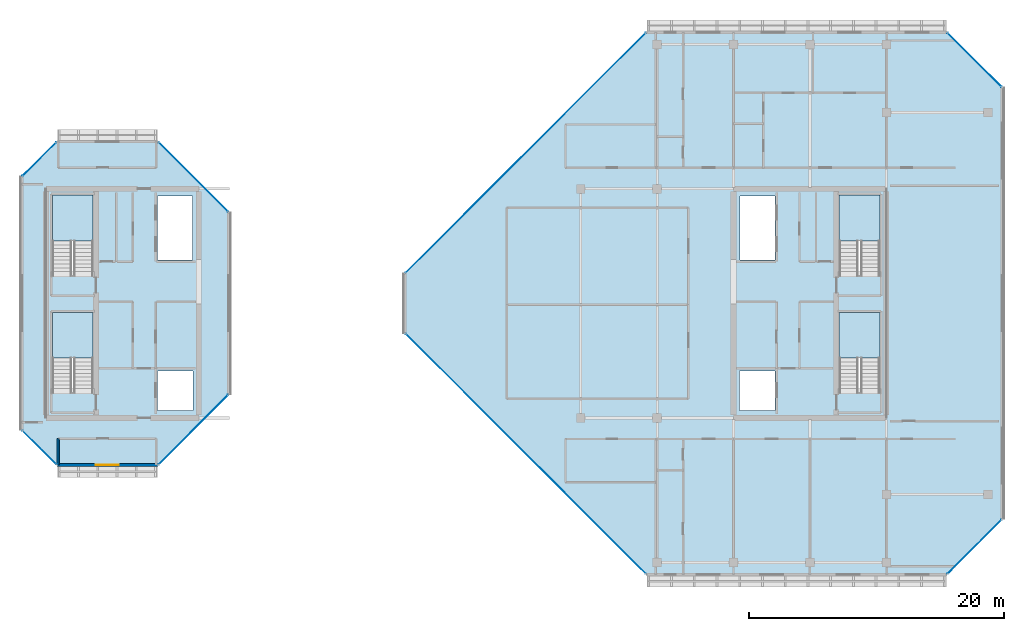
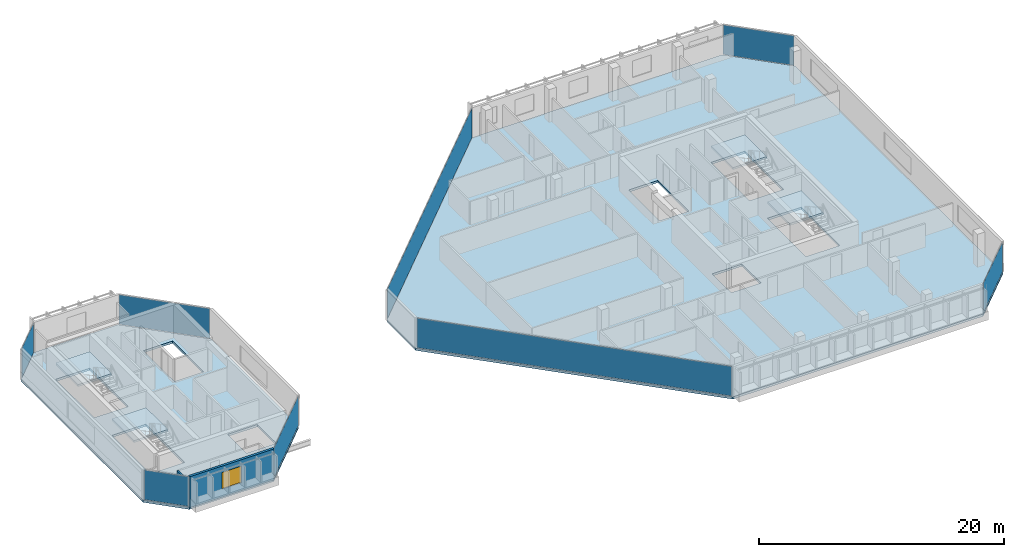
# One storey, part 20 of 28: 8 plates, 6 slabs, 2 walls, 1 window, 1 opening, 12 elements without a shape of their own.
"""IFC4 building model written with IfcOpenShell, lengths in metres."""

from ifc_helpers import new_model, si_unit, direction, frame, frame_2d, origin, origin_2d, place, context, subcontext, project, spatial, polyline, rectangle, outline, extrude, material, layer, layer_set, type_object, element, fill, aggregate, save


model = new_model("IFC4")

# Units and contexts
model_context = context("Model", 3, precision=1e-05, world=origin(), true_north=direction((0.0, 1.0)))
body_context = subcontext(model_context, "Body", "Model", "MODEL_VIEW")
ifc_project = project(units=[si_unit("LENGTHUNIT", "METRE"), si_unit("AREAUNIT", "SQUARE_METRE"), si_unit("VOLUMEUNIT", "CUBIC_METRE"), si_unit("PLANEANGLEUNIT", "RADIAN"), si_unit("MASSUNIT", "GRAM", prefix="KILO")], contexts=[model_context])

# Site, building, storey
site_placement = place(None, origin())
site = spatial("IfcSite", under=ifc_project, at=site_placement, CompositionType="ELEMENT")
building_placement = place(site_placement, origin())
building = spatial("IfcBuilding", under=site, at=building_placement, Name="Tanjung Sevakor Pilgrim Tower", CompositionType="ELEMENT")
storey_placement = place(building_placement, frame((0.0, 0.0, 239.25)))
storey = spatial("IfcBuildingStorey", under=building, at=storey_placement, Name="L67", CompositionType="ELEMENT", Elevation=239.25)

# Stair, slab
ifc_material_1 = material(Name="Concrete C40/50", Category="concrete")
stair_type = type_object("IfcStairType", Name="STAIR-ST-CR150", PredefinedType="HALF_TURN_STAIR", material=ifc_material_1)
stair_1_placement = place(storey_placement, origin())
stair_1 = element("IfcStair", 1, at=stair_1_placement, inside=storey, type_object=stair_type, Name="L67 West Core Exit Stair 1", PredefinedType="HALF_TURN_STAIR")
ifc_material_2 = material(Name="Concrete C40/50", Category="concrete")
ifc_layer_1 = layer(ifc_material_2, 0.199951171875)
ifc_layer_set_1 = layer_set([ifc_layer_1], Name="SL-LAND-200")
slab_type_1 = type_object("IfcSlabType", Name="SL-LAND-200", PredefinedType="LANDING", material=ifc_layer_set_1)
slab_1_placement = place(storey_placement, frame((0.0, 0.0, 1.449951171875)))
slab_1 = element("IfcSlab", 2, at=slab_1_placement, type_object=slab_type_1, Name="TS-W1 landing 1", PredefinedType="LANDING", context=body_context, shape_type="SweptSolid", body=[
    extrude(outline(polyline([(27.699951171875, 29.300048828125), (27.699951171875, 32.89990234375), (24.5, 32.89990234375), (24.5, 29.300048828125), (27.699951171875, 29.300048828125)])), origin(), (0.0, 0.0, 1.0), 0.199951171875),
])
aggregate(stair_1, [slab_1])

stair_2_placement = place(storey_placement, origin())
stair_2 = element("IfcStair", 3, at=stair_2_placement, inside=storey, type_object=stair_type, Name="L67 West Core Exit Stair 2", PredefinedType="HALF_TURN_STAIR")
slab_2_placement = place(storey_placement, frame((0.0, 0.0, 1.449951171875)))
slab_2 = element("IfcSlab", 4, at=slab_2_placement, type_object=slab_type_1, Name="TS-W2 landing 1", PredefinedType="LANDING", context=body_context, shape_type="SweptSolid", body=[
    extrude(outline(polyline([(27.699951171875, 38.5), (27.699951171875, 42.10009765625), (24.5, 42.10009765625), (24.5, 38.5), (27.699951171875, 38.5)])), origin(), (0.0, 0.0, 1.0), 0.199951171875),
])
aggregate(stair_2, [slab_2])

stair_3_placement = place(storey_placement, origin())
stair_3 = element("IfcStair", 5, at=stair_3_placement, inside=storey, type_object=stair_type, Name="L67 East Core Exit Stair 1", PredefinedType="HALF_TURN_STAIR")
slab_3_placement = place(storey_placement, frame((0.0, 0.0, 1.449951171875)))
slab_3 = element("IfcSlab", 6, at=slab_3_placement, type_object=slab_type_1, Name="TS-E1 landing 1", PredefinedType="LANDING", context=body_context, shape_type="SweptSolid", body=[
    extrude(outline(polyline([(89.5, 29.300048828125), (89.5, 32.89990234375), (86.300048828125, 32.89990234375), (86.300048828125, 29.300048828125), (89.5, 29.300048828125)])), origin(), (0.0, 0.0, 1.0), 0.199951171875),
])
aggregate(stair_3, [slab_3])

stair_4_placement = place(storey_placement, origin())
stair_4 = element("IfcStair", 7, at=stair_4_placement, inside=storey, type_object=stair_type, Name="L67 East Core Exit Stair 2", PredefinedType="HALF_TURN_STAIR")
slab_4_placement = place(storey_placement, frame((0.0, 0.0, 1.449951171875)))
slab_4 = element("IfcSlab", 8, at=slab_4_placement, type_object=slab_type_1, Name="TS-E2 landing 1", PredefinedType="LANDING", context=body_context, shape_type="SweptSolid", body=[
    extrude(outline(polyline([(89.5, 38.5), (89.5, 42.10009765625), (86.300048828125, 42.10009765625), (86.300048828125, 38.5), (89.5, 38.5)])), origin(), (0.0, 0.0, 1.0), 0.199951171875),
])
aggregate(stair_4, [slab_4])

# Slabs
ifc_material_3 = material(Name="Concrete C40/50", Category="concrete")
ifc_layer_2 = layer(ifc_material_3, 0.219970703125)
ifc_layer_set_2 = layer_set([ifc_layer_2], Name="SL-TWR-220")
slab_type_2 = type_object("IfcSlabType", Name="SL-TWR-220", PredefinedType="FLOOR", material=ifc_layer_set_2)
slab_5_placement = place(storey_placement, frame((0.0, 0.0, -0.219970703125)))
element("IfcSlab", 9, at=slab_5_placement, inside=storey, type_object=slab_type_2, Name="L67 Floor Slab WEST", PredefinedType="FLOOR", context=body_context, shape_type="SweptSolid", body=[
    extrude(outline(polyline([(24.846923828125, 20.8798828125), (32.802978515625, 20.8798828125), (38.3701171875, 26.447021484375), (38.3701171875, 40.753173828125), (32.802978515625, 46.320068359375), (24.846923828125, 46.320068359375), (22.080078125, 43.552978515625), (22.080078125, 23.64697265625), (24.846923828125, 20.8798828125)]), holes=[polyline([(27.699951171875, 26.60009765625), (27.699951171875, 32.89990234375), (24.5, 32.89990234375), (24.5, 26.60009765625), (27.699951171875, 26.60009765625)]), polyline([(27.699951171875, 35.800048828125), (27.699951171875, 42.10009765625), (24.5, 42.10009765625), (24.5, 35.800048828125), (27.699951171875, 35.800048828125)]), polyline([(32.75, 25.199951171875), (35.550048828125, 25.199951171875), (35.550048828125, 28.300048828125), (32.75, 28.300048828125), (32.75, 25.199951171875)]), polyline([(32.75, 37.0), (35.5, 37.0), (35.5, 42.050048828125), (32.75, 42.050048828125), (32.75, 37.0)])]), origin(), (0.0, 0.0, 1.0), 0.219970703125),
])
slab_6_placement = place(storey_placement, frame((0.0, 0.0, -0.219970703125)))
element("IfcSlab", 10, at=slab_6_placement, inside=storey, type_object=slab_type_2, Name="L67 Floor Slab EAST", PredefinedType="FLOOR", context=body_context, shape_type="SweptSolid", body=[
    extrude(outline(polyline([(71.14697265625, 12.280029296875), (94.753173828125, 12.280029296875), (99.1201171875, 16.64697265625), (99.1201171875, 50.552978515625), (94.753173828125, 54.919921875), (71.14697265625, 54.919921875), (52.179931640625, 35.953125), (52.179931640625, 31.246826171875), (71.14697265625, 12.280029296875)]), holes=[polyline([(89.5, 26.60009765625), (89.5, 32.89990234375), (86.300048828125, 32.89990234375), (86.300048828125, 26.60009765625), (89.5, 26.60009765625)]), polyline([(89.5, 35.800048828125), (89.5, 42.10009765625), (86.300048828125, 42.10009765625), (86.300048828125, 35.800048828125), (89.5, 35.800048828125)]), polyline([(78.449951171875, 25.199951171875), (81.25, 25.199951171875), (81.25, 28.300048828125), (78.449951171875, 28.300048828125), (78.449951171875, 25.199951171875)]), polyline([(78.5, 37.0), (81.25, 37.0), (81.25, 42.050048828125), (78.5, 42.050048828125), (78.5, 37.0)])]), origin(), (0.0, 0.0, 1.0), 0.219970703125),
])

# Curtain wall, plate
ifc_material_4 = material(Name="Aluminium 6063-T6 and Low-E Glass", Category="aluminium")
ifc_layer_3 = layer(ifc_material_4, 0.179931640625)
ifc_layer_set_3 = layer_set([ifc_layer_3], Name="CW-SYS-CHAM")
curtain_wall_type = type_object("IfcCurtainWallType", Name="CW-SYS-CHAM", PredefinedType="NOTDEFINED", material=ifc_layer_set_3)
curtain_wall_1_placement = place(storey_placement, origin())
curtain_wall_1 = element("IfcCurtainWall", 11, at=curtain_wall_1_placement, inside=storey, type_object=curtain_wall_type, Name="L67 Curtain Wall CW-CHM-L67-WEST-1", PredefinedType="NOTDEFINED")
ifc_material_5 = material(Name="Laminated Low-E Double Glazing", Category="glass")
ifc_layer_4 = layer(ifc_material_5, 0.028076171875)
ifc_layer_set_4 = layer_set([ifc_layer_4], Name="TYPE-CWP-GLZ1")
plate_type = type_object("IfcPlateType", Name="TYPE-CWP-GLZ1", PredefinedType="CURTAIN_PANEL", material=ifc_layer_set_4)
plate_1_placement = place(storey_placement, frame((35.572265625, 23.677734375, 0.06494140625), z_axis=(0.0, 0.0, 1.0), x_axis=(0.707106781187, 0.707106781187, 0.0)))
plate_1 = element("IfcPlate", 12, at=plate_1_placement, type_object=plate_type, Name="CW-CHM panel 1.1", PredefinedType="CURTAIN_PANEL", context=body_context, shape_type="SweptSolid", body=[
    extrude(rectangle(XDim=7.698486328125, YDim=0.028076171875, at=origin_2d()), origin(), (0.0, 0.0, 1.0), 2.949951171875),
])
aggregate(curtain_wall_1, [plate_1])

curtain_wall_2_placement = place(storey_placement, origin())
curtain_wall_2 = element("IfcCurtainWall", 13, at=curtain_wall_2_placement, inside=storey, type_object=curtain_wall_type, Name="L67 Curtain Wall CW-CHM-L67-WEST-3", PredefinedType="NOTDEFINED")
plate_2_placement = place(storey_placement, frame((35.572265625, 43.522216796875, 0.06494140625), z_axis=(0.0, 0.0, 1.0), x_axis=(-0.707106781187, 0.707106781187, 0.0)))
plate_2 = element("IfcPlate", 14, at=plate_2_placement, type_object=plate_type, Name="CW-CHM panel 1.1", PredefinedType="CURTAIN_PANEL", context=body_context, shape_type="SweptSolid", body=[
    extrude(rectangle(XDim=7.698486328125, YDim=0.028076171875, at=origin_2d()), origin(), (0.0, 0.0, 1.0), 2.949951171875),
])
aggregate(curtain_wall_2, [plate_2])

curtain_wall_3_placement = place(storey_placement, origin())
curtain_wall_3 = element("IfcCurtainWall", 15, at=curtain_wall_3_placement, inside=storey, type_object=curtain_wall_type, Name="L67 Curtain Wall CW-CHM-L67-WEST-5", PredefinedType="NOTDEFINED")
plate_3_placement = place(storey_placement, frame((23.477783203125, 44.922119140625, 0.06494140625), z_axis=(0.0, 0.0, 1.0), x_axis=(-0.707106781187, -0.707106781187, 0.0)))
plate_3 = element("IfcPlate", 16, at=plate_3_placement, type_object=plate_type, Name="CW-CHM panel 1.1", PredefinedType="CURTAIN_PANEL", context=body_context, shape_type="SweptSolid", body=[
    extrude(rectangle(XDim=3.73876953125, YDim=0.028076171875, at=origin_2d()), origin(), (0.0, 0.0, 1.0), 2.949951171875),
])
aggregate(curtain_wall_3, [plate_3])

curtain_wall_4_placement = place(storey_placement, origin())
curtain_wall_4 = element("IfcCurtainWall", 17, at=curtain_wall_4_placement, inside=storey, type_object=curtain_wall_type, Name="L67 Curtain Wall CW-CHM-L67-WEST-7", PredefinedType="NOTDEFINED")
plate_4_placement = place(storey_placement, frame((23.477783203125, 22.27783203125, 0.06494140625), z_axis=(0.0, 0.0, 1.0), x_axis=(0.707106781187, -0.707106781187, 0.0)))
plate_4 = element("IfcPlate", 18, at=plate_4_placement, type_object=plate_type, Name="CW-CHM panel 1.1", PredefinedType="CURTAIN_PANEL", context=body_context, shape_type="SweptSolid", body=[
    extrude(rectangle(XDim=3.73876953125, YDim=0.028076171875, at=origin_2d()), origin(), (0.0, 0.0, 1.0), 2.949951171875),
])
aggregate(curtain_wall_4, [plate_4])

curtain_wall_5_placement = place(storey_placement, origin())
curtain_wall_5 = element("IfcCurtainWall", 19, at=curtain_wall_5_placement, inside=storey, type_object=curtain_wall_type, Name="L67 Curtain Wall CW-CHM-L67-EAST-1", PredefinedType="NOTDEFINED")
plate_5_placement = place(storey_placement, frame((96.922119140625, 14.477783203125, 0.06494140625), z_axis=(0.0, 0.0, 1.0), x_axis=(0.707106781187, 0.707106781187, 0.0)))
plate_5 = element("IfcPlate", 20, at=plate_5_placement, type_object=plate_type, Name="CW-CHM panel 1.1", PredefinedType="CURTAIN_PANEL", context=body_context, shape_type="SweptSolid", body=[
    extrude(rectangle(XDim=6.00146484375, YDim=0.028076171875, at=origin_2d()), origin(), (0.0, 0.0, 1.0), 2.949951171875),
])
aggregate(curtain_wall_5, [plate_5])

curtain_wall_6_placement = place(storey_placement, origin())
curtain_wall_6 = element("IfcCurtainWall", 21, at=curtain_wall_6_placement, inside=storey, type_object=curtain_wall_type, Name="L67 Curtain Wall CW-CHM-L67-EAST-3", PredefinedType="NOTDEFINED")
plate_6_placement = place(storey_placement, frame((96.922119140625, 52.72216796875, 0.06494140625), z_axis=(0.0, 0.0, 1.0), x_axis=(-0.707106781187, 0.707106781187, 0.0)))
plate_6 = element("IfcPlate", 22, at=plate_6_placement, type_object=plate_type, Name="CW-CHM panel 1.1", PredefinedType="CURTAIN_PANEL", context=body_context, shape_type="SweptSolid", body=[
    extrude(rectangle(XDim=6.00146484375, YDim=0.028076171875, at=origin_2d()), origin(), (0.0, 0.0, 1.0), 2.949951171875),
])
aggregate(curtain_wall_6, [plate_6])

curtain_wall_7_placement = place(storey_placement, origin())
curtain_wall_7 = element("IfcCurtainWall", 23, at=curtain_wall_7_placement, inside=storey, type_object=curtain_wall_type, Name="L67 Curtain Wall CW-CHM-L67-EAST-5", PredefinedType="NOTDEFINED")
plate_7_placement = place(storey_placement, frame((61.677734375, 45.422119140625, 0.06494140625), z_axis=(0.0, 0.0, 1.0), x_axis=(-0.707106781187, -0.707106781187, 0.0)))
plate_7 = element("IfcPlate", 24, at=plate_7_placement, type_object=plate_type, Name="CW-CHM panel 1.1", PredefinedType="CURTAIN_PANEL", context=body_context, shape_type="SweptSolid", body=[
    extrude(rectangle(XDim=26.64892578125, YDim=0.028076171875, at=origin_2d()), origin(), (0.0, 0.0, 1.0), 2.949951171875),
])
aggregate(curtain_wall_7, [plate_7])

curtain_wall_8_placement = place(storey_placement, origin())
curtain_wall_8 = element("IfcCurtainWall", 25, at=curtain_wall_8_placement, inside=storey, type_object=curtain_wall_type, Name="L67 Curtain Wall CW-CHM-L67-EAST-7", PredefinedType="NOTDEFINED")
plate_8_placement = place(storey_placement, frame((61.677734375, 21.77783203125, 0.06494140625), z_axis=(0.0, 0.0, 1.0), x_axis=(0.707106781187, -0.707106781187, 0.0)))
plate_8 = element("IfcPlate", 26, at=plate_8_placement, type_object=plate_type, Name="CW-CHM panel 1.1", PredefinedType="CURTAIN_PANEL", context=body_context, shape_type="SweptSolid", body=[
    extrude(rectangle(XDim=26.64892578125, YDim=0.028076171875, at=origin_2d()), origin(), (0.0, 0.0, 1.0), 2.949951171875),
])
aggregate(curtain_wall_8, [plate_8])

# Wall
ifc_material_6 = material(Name="Concrete C40/50", Category="concrete")
ifc_layer_5 = layer(ifc_material_6, 0.14990234375)
ifc_layer_set_5 = layer_set([ifc_layer_5], Name="WT-COMP-150")
wall_type_1 = type_object("IfcWallType", Name="WT-COMP-150", PredefinedType="SOLIDWALL", material=ifc_layer_set_5)
wall_1_placement = place(storey_placement, frame((24.949951171875, 20.919921875, 0.0), z_axis=(0.0, 0.0, 1.0), x_axis=(0.0, 1.0, 0.0)))
element("IfcWall", 27, at=wall_1_placement, inside=storey, type_object=wall_type_1, Name="L67 Partition IW-L67-026", PredefinedType="SOLIDWALL", context=body_context, shape_type="SweptSolid", body=[
    extrude(rectangle(XDim=2.06005859375, YDim=0.14990234375, at=frame_2d((1.030029296875, 0.0))), origin(), (0.0, 0.0, 1.0), 2.35009765625),
])

# Wall, opening, window
ifc_material_7 = material(Name="Precast concrete C45/55", Category="concrete")
ifc_layer_6 = layer(ifc_material_7, 0.219970703125)
ifc_layer_set_6 = layer_set([ifc_layer_6], Name="WT-EW-STN4")
wall_type_2 = type_object("IfcWallType", Name="WT-EW-STN4", PredefinedType="SOLIDWALL", material=ifc_layer_set_6)
wall_2_placement = place(storey_placement, frame((24.845703125, 20.909912109375, 0.0), z_axis=(0.0, 0.0, 1.0), x_axis=(1.0, 0.0, 0.0)))
wall_2 = element("IfcWall", 28, at=wall_2_placement, inside=storey, type_object=wall_type_2, Name="L67 WEST Exterior Wall 1", PredefinedType="SOLIDWALL", context=body_context, shape_type="SweptSolid", body=[
    extrude(rectangle(XDim=7.958740234375, YDim=0.219970703125, at=frame_2d((3.9794921875, 0.0))), origin(), (0.0, 0.0, 1.0), 3.080078125),
])
opening_placement = place(wall_2_placement, frame((3.054443359375, 0.0, 0.780029296875)))
opening = element("IfcOpeningElement", 29, at=opening_placement, cuts=wall_2, Name="Opening WN-Z3-1660", PredefinedType="OPENING", context=body_context, shape_type="SweptSolid", body=[
    extrude(rectangle(XDim=1.800048828125, YDim=1.659912109375, at=frame_2d((0.89990234375, 0.830078125))), frame((0.0, 0.119873046875, 0.0), z_axis=(0.0, -1.0, 0.0), x_axis=(1.0, 0.0, 0.0)), (0.0, 0.0, 1.0), 0.239990234375),
])
ifc_material_8 = material(Name="Thermally Broken Aluminium and Low-E Glass", Category="aluminium")
window_type = type_object("IfcWindowType", Name="WTYP-WN-Z3-1660", PartitioningType="DOUBLE_PANEL_VERTICAL", PredefinedType="WINDOW", material=ifc_material_8)
window_placement = place(opening_placement, origin())
window = element("IfcWindow", 30, at=window_placement, inside=storey, type_object=window_type, Name="L67 Facade Window 01", OverallHeight=1.659912109375, OverallWidth=1.800048828125, PartitioningType="SINGLE_PANEL", PredefinedType="WINDOW", context=body_context, shape_type="SweptSolid", body=[
    extrude(rectangle(XDim=1.800048828125, YDim=1.659912109375, at=frame_2d((0.89990234375, 0.830078125))), frame((0.0, 0.030029296875, 0.0), z_axis=(0.0, -1.0, 0.0), x_axis=(1.0, 0.0, 0.0)), (0.0, 0.0, 1.0), 0.06005859375),
])
fill(opening, window)

save(model, "model.ifc")
